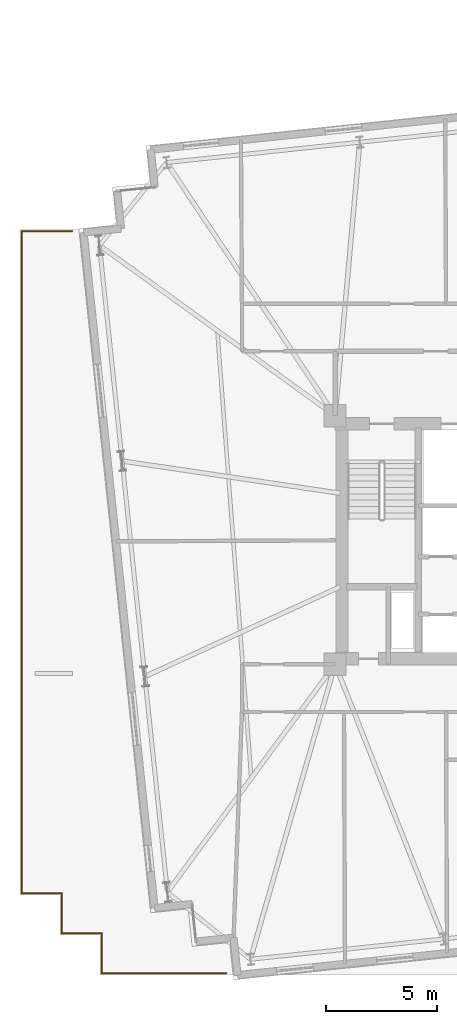
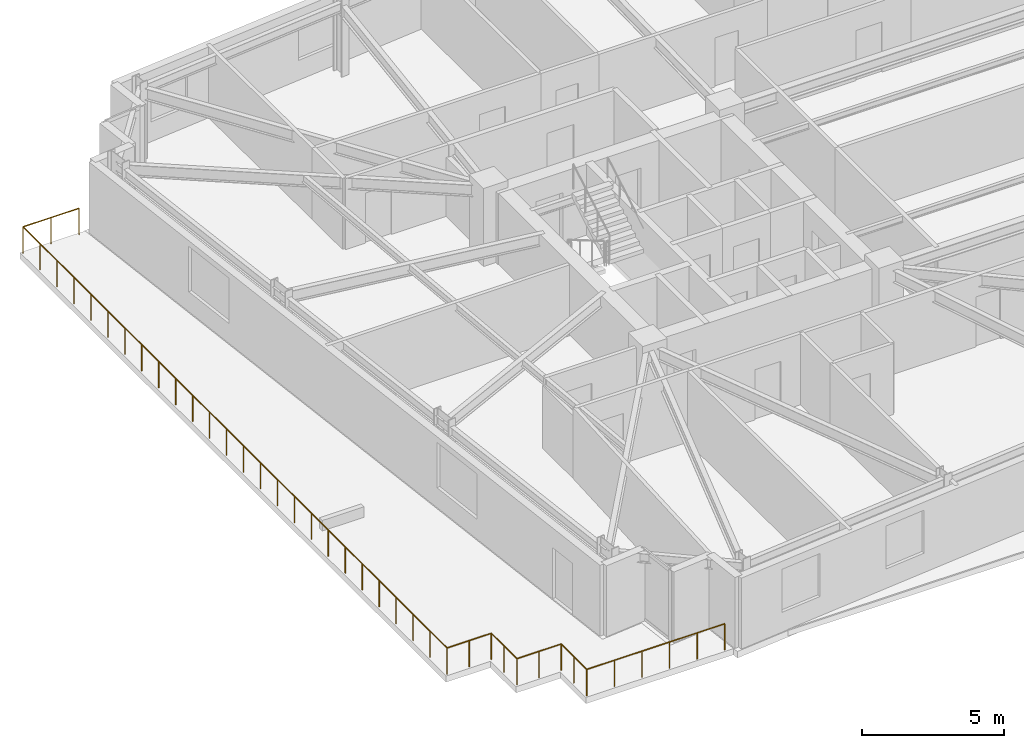
# One storey, part 17 of 20: 2 railings.
"""IFC4 building model written with IfcOpenShell, lengths in metres."""

from ifc_helpers import new_model, si_unit, direction, frame, origin, origin_2d, place, context, subcontext, project, spatial, circle, extrude, material, type_object, element, save


model = new_model("IFC4")

# Units and contexts
model_context = context("Model", 3, precision=1e-05, world=origin(), true_north=direction((0.0, 1.0)))
body_context = subcontext(model_context, "Body", "Model", "MODEL_VIEW")
ifc_project = project(units=[si_unit("LENGTHUNIT", "METRE"), si_unit("AREAUNIT", "SQUARE_METRE"), si_unit("VOLUMEUNIT", "CUBIC_METRE"), si_unit("PLANEANGLEUNIT", "RADIAN"), si_unit("MASSUNIT", "GRAM", prefix="KILO")], contexts=[model_context])

# Site, building, storey
site_placement = place(None, origin())
site = spatial("IfcSite", under=ifc_project, at=site_placement, CompositionType="ELEMENT")
building_placement = place(site_placement, origin())
building = spatial("IfcBuilding", under=site, at=building_placement, Name="Qobustan Lattice House", CompositionType="ELEMENT")
storey_placement = place(building_placement, frame((0.0, 0.0, 79.0)))
storey = spatial("IfcBuildingStorey", under=building, at=storey_placement, Name="L21", CompositionType="ELEMENT", Elevation=79.0)

# Railings
ifc_material = material(Name="Anodised bronze and laminated glass balustrade", Category="glass")
railing_type = type_object("IfcRailingType", Name="RAL-TERR-1150", PredefinedType="BALUSTRADE", material=ifc_material)
railing_1_placement = place(storey_placement, frame((-29.320068359375, -17.719970703125, 0.0)))
element("IfcRailing", 1, at=railing_1_placement, inside=storey, type_object=railing_type, Name="L21 outdoor terrace balustrade 1", PredefinedType="BALUSTRADE", context=body_context, shape_type="SweptSolid", body=[
    extrude(circle(Radius=0.02392578125, at=origin_2d()), frame((0.0, 0.0, 1.1259765625), z_axis=(-1.0, 0.0, 0.0), x_axis=(0.0, -1.0, 0.0)), (0.0, 0.0, 1.0), 1.800048828125),
    extrude(circle(Radius=0.02392578125, at=origin_2d()), frame((-1.800048828125, 0.0, 1.1259765625), z_axis=(0.0, 1.0, 0.0), x_axis=(-1.0, 0.0, 0.0)), (0.0, 0.0, 1.0), 1.800048828125),
    extrude(circle(Radius=0.02392578125, at=origin_2d()), frame((-1.800048828125, 1.800048828125, 1.1259765625), z_axis=(-1.0, 0.0, 0.0), x_axis=(0.0, -1.0, 0.0)), (0.0, 0.0, 1.0), 1.7998046875),
    extrude(circle(Radius=0.02392578125, at=origin_2d()), frame((-3.599853515625, 1.800048828125, 1.1259765625), z_axis=(0.0, 1.0, 0.0), x_axis=(-1.0, 0.0, 0.0)), (0.0, 0.0, 1.0), 29.83984375),
    extrude(circle(Radius=0.02392578125, at=origin_2d()), frame((-3.599853515625, 31.639892578125, 1.1259765625), z_axis=(1.0, 0.0, 0.0), x_axis=(0.0, 1.0, 0.0)), (0.0, 0.0, 1.0), 2.2763671875),
    extrude(circle(Radius=0.02099609375, at=origin_2d()), origin(), (0.0, 0.0, 1.0), 1.101806640625),
    extrude(circle(Radius=0.02099609375, at=origin_2d()), frame((-0.89990234375, 0.0, 0.0)), (0.0, 0.0, 1.0), 1.101806640625),
    extrude(circle(Radius=0.02099609375, at=origin_2d()), frame((-1.800048828125, 0.0, 0.0)), (0.0, 0.0, 1.0), 1.101806640625),
    extrude(circle(Radius=0.02099609375, at=origin_2d()), frame((-1.800048828125, 0.89990234375, 0.0)), (0.0, 0.0, 1.0), 1.101806640625),
    extrude(circle(Radius=0.02099609375, at=origin_2d()), frame((-1.800048828125, 1.800048828125, 0.0)), (0.0, 0.0, 1.0), 1.101806640625),
    extrude(circle(Radius=0.02099609375, at=origin_2d()), frame((-2.699951171875, 1.800048828125, 0.0)), (0.0, 0.0, 1.0), 1.101806640625),
    extrude(circle(Radius=0.02099609375, at=origin_2d()), frame((-3.599853515625, 1.800048828125, 0.0)), (0.0, 0.0, 1.0), 1.101806640625),
    extrude(circle(Radius=0.02099609375, at=origin_2d()), frame((-3.599853515625, 2.99365234375, 0.0)), (0.0, 0.0, 1.0), 1.101806640625),
    extrude(circle(Radius=0.02099609375, at=origin_2d()), frame((-3.599853515625, 4.187255859375, 0.0)), (0.0, 0.0, 1.0), 1.101806640625),
    extrude(circle(Radius=0.02099609375, at=origin_2d()), frame((-3.599853515625, 5.380859375, 0.0)), (0.0, 0.0, 1.0), 1.101806640625),
    extrude(circle(Radius=0.02099609375, at=origin_2d()), frame((-3.599853515625, 6.574462890625, 0.0)), (0.0, 0.0, 1.0), 1.101806640625),
    extrude(circle(Radius=0.02099609375, at=origin_2d()), frame((-3.599853515625, 7.76806640625, 0.0)), (0.0, 0.0, 1.0), 1.101806640625),
    extrude(circle(Radius=0.02099609375, at=origin_2d()), frame((-3.599853515625, 8.961669921875, 0.0)), (0.0, 0.0, 1.0), 1.101806640625),
    extrude(circle(Radius=0.02099609375, at=origin_2d()), frame((-3.599853515625, 10.1552734375, 0.0)), (0.0, 0.0, 1.0), 1.101806640625),
    extrude(circle(Radius=0.02099609375, at=origin_2d()), frame((-3.599853515625, 11.348876953125, 0.0)), (0.0, 0.0, 1.0), 1.101806640625),
    extrude(circle(Radius=0.02099609375, at=origin_2d()), frame((-3.599853515625, 12.54248046875, 0.0)), (0.0, 0.0, 1.0), 1.101806640625),
    extrude(circle(Radius=0.02099609375, at=origin_2d()), frame((-3.599853515625, 13.736083984375, 0.0)), (0.0, 0.0, 1.0), 1.101806640625),
    extrude(circle(Radius=0.02099609375, at=origin_2d()), frame((-3.599853515625, 14.9296875, 0.0)), (0.0, 0.0, 1.0), 1.101806640625),
    extrude(circle(Radius=0.02099609375, at=origin_2d()), frame((-3.599853515625, 16.123291015625, 0.0)), (0.0, 0.0, 1.0), 1.101806640625),
    extrude(circle(Radius=0.02099609375, at=origin_2d()), frame((-3.599853515625, 17.316650390625, 0.0)), (0.0, 0.0, 1.0), 1.101806640625),
    extrude(circle(Radius=0.02099609375, at=origin_2d()), frame((-3.599853515625, 18.51025390625, 0.0)), (0.0, 0.0, 1.0), 1.101806640625),
    extrude(circle(Radius=0.02099609375, at=origin_2d()), frame((-3.599853515625, 19.703857421875, 0.0)), (0.0, 0.0, 1.0), 1.101806640625),
    extrude(circle(Radius=0.02099609375, at=origin_2d()), frame((-3.599853515625, 20.8974609375, 0.0)), (0.0, 0.0, 1.0), 1.101806640625),
    extrude(circle(Radius=0.02099609375, at=origin_2d()), frame((-3.599853515625, 22.091064453125, 0.0)), (0.0, 0.0, 1.0), 1.101806640625),
    extrude(circle(Radius=0.02099609375, at=origin_2d()), frame((-3.599853515625, 23.28466796875, 0.0)), (0.0, 0.0, 1.0), 1.101806640625),
    extrude(circle(Radius=0.02099609375, at=origin_2d()), frame((-3.599853515625, 24.478271484375, 0.0)), (0.0, 0.0, 1.0), 1.101806640625),
    extrude(circle(Radius=0.02099609375, at=origin_2d()), frame((-3.599853515625, 25.671875, 0.0)), (0.0, 0.0, 1.0), 1.101806640625),
    extrude(circle(Radius=0.02099609375, at=origin_2d()), frame((-3.599853515625, 26.865478515625, 0.0)), (0.0, 0.0, 1.0), 1.101806640625),
    extrude(circle(Radius=0.02099609375, at=origin_2d()), frame((-3.599853515625, 28.05908203125, 0.0)), (0.0, 0.0, 1.0), 1.101806640625),
    extrude(circle(Radius=0.02099609375, at=origin_2d()), frame((-3.599853515625, 29.252685546875, 0.0)), (0.0, 0.0, 1.0), 1.101806640625),
    extrude(circle(Radius=0.02099609375, at=origin_2d()), frame((-3.599853515625, 30.4462890625, 0.0)), (0.0, 0.0, 1.0), 1.101806640625),
    extrude(circle(Radius=0.02099609375, at=origin_2d()), frame((-3.599853515625, 31.639892578125, 0.0)), (0.0, 0.0, 1.0), 1.101806640625),
    extrude(circle(Radius=0.02099609375, at=origin_2d()), frame((-2.461669921875, 31.639892578125, 0.0)), (0.0, 0.0, 1.0), 1.101806640625),
    extrude(circle(Radius=0.02099609375, at=origin_2d()), frame((-1.323486328125, 31.639892578125, 0.0)), (0.0, 0.0, 1.0), 1.101806640625),
])
railing_2_placement = place(storey_placement, frame((-23.710205078125, -19.52001953125, 0.0)))
element("IfcRailing", 2, at=railing_2_placement, inside=storey, type_object=railing_type, Name="L21 outdoor terrace balustrade 2", PredefinedType="BALUSTRADE", context=body_context, shape_type="SweptSolid", body=[
    extrude(circle(Radius=0.02392578125, at=origin_2d()), frame((0.0, 0.0, 1.1259765625), z_axis=(-1.0, 0.0, 0.0), x_axis=(0.0, -1.0, 0.0)), (0.0, 0.0, 1.0), 5.60986328125),
    extrude(circle(Radius=0.02392578125, at=origin_2d()), frame((-5.60986328125, 0.0, 1.1259765625), z_axis=(0.0, 1.0, 0.0), x_axis=(-1.0, 0.0, 0.0)), (0.0, 0.0, 1.0), 1.800048828125),
    extrude(circle(Radius=0.02099609375, at=origin_2d()), origin(), (0.0, 0.0, 1.0), 1.101806640625),
    extrude(circle(Radius=0.02099609375, at=origin_2d()), frame((-1.1220703125, 0.0, 0.0)), (0.0, 0.0, 1.0), 1.101806640625),
    extrude(circle(Radius=0.02099609375, at=origin_2d()), frame((-2.243896484375, 0.0, 0.0)), (0.0, 0.0, 1.0), 1.101806640625),
    extrude(circle(Radius=0.02099609375, at=origin_2d()), frame((-3.365966796875, 0.0, 0.0)), (0.0, 0.0, 1.0), 1.101806640625),
    extrude(circle(Radius=0.02099609375, at=origin_2d()), frame((-4.48779296875, 0.0, 0.0)), (0.0, 0.0, 1.0), 1.101806640625),
    extrude(circle(Radius=0.02099609375, at=origin_2d()), frame((-5.60986328125, 0.0, 0.0)), (0.0, 0.0, 1.0), 1.101806640625),
    extrude(circle(Radius=0.02099609375, at=origin_2d()), frame((-5.60986328125, 0.89990234375, 0.0)), (0.0, 0.0, 1.0), 1.101806640625),
    extrude(circle(Radius=0.02099609375, at=origin_2d()), frame((-5.60986328125, 1.800048828125, 0.0)), (0.0, 0.0, 1.0), 1.101806640625),
])

save(model, "model.ifc")
